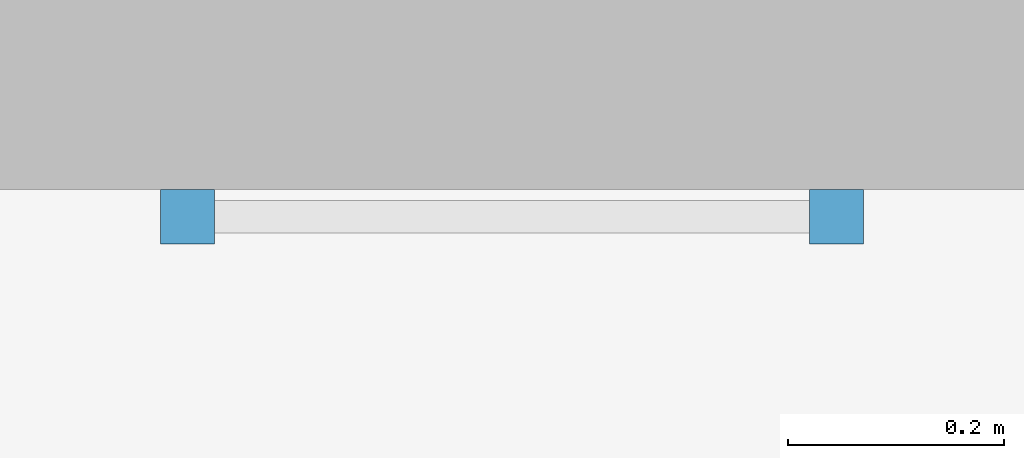
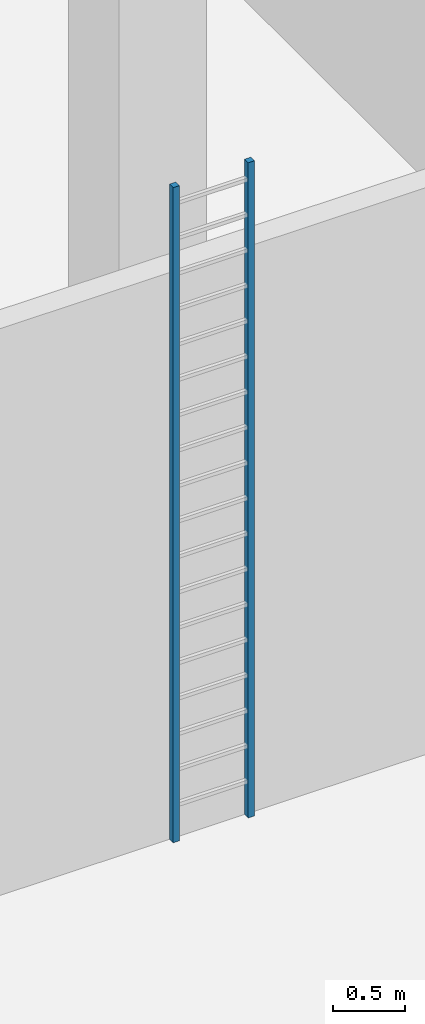
# One storey, part 133 of 210: 2 discrete accessories.
"""IFC4 building model written with IfcOpenShell, lengths in metres."""

import ifcopenshell
import ifcopenshell.guid

model = None  # the IFC model being written
_history = None  # IfcOwnerHistory: only IFC2X3 demands one
_inside = {}  # id of a spatial element -> (the spatial element, [elements in it])
_under = {}  # id of a project, library or spatial element -> (it, [spatial elements below it])
_declared = {}  # id of a project -> (the project, [libraries it declares])
_typed = {}  # id of a type object -> (the type object, [elements of that type])
_made_of = {}  # id of a material, layer set ... -> (it, [elements and type objects made of it])


def new_model(schema):
    """Start an empty IFC model of exactly this schema.

    Asked for "IFC4X3", IfcOpenShell would pick the latest addendum, in which some entities
    have other attributes; the version numbers below select the first issue.
    IFC2X3 requires an IfcOwnerHistory on every rooted entity: one is made here for all.
    """
    global model, _history
    if schema == "IFC4X3":
        model = ifcopenshell.file(schema_version=(4, 3, 0, 0))
    else:
        model = ifcopenshell.file(schema=schema)
    _inside.clear()
    _under.clear()
    _declared.clear()
    _typed.clear()
    _made_of.clear()
    _history = None
    if model.schema == "IFC2X3":
        org = make("IfcOrganization", Name="unknown")
        user = make(
            "IfcPersonAndOrganization",
            ThePerson=make("IfcPerson", FamilyName="unknown"),
            TheOrganization=org,
        )
        app = make(
            "IfcApplication",
            ApplicationDeveloper=org,
            Version="unknown",
            ApplicationFullName="unknown",
            ApplicationIdentifier="unknown",
        )
        _history = make(
            "IfcOwnerHistory",
            OwningUser=user,
            OwningApplication=app,
            ChangeAction="ADDED",
            CreationDate=0,
        )
    return model


def make(cls, **values):
    """One entity of the class cls with the attributes given. An attribute that is None is left unset."""
    return model.create_entity(
        cls, **{name: value for name, value in values.items() if value is not None}
    )


def rooted(cls, **values):
    """An entity with a GlobalId (a new one), such as an element, a storey or a relation."""
    return make(cls, GlobalId=ifcopenshell.guid.new(), OwnerHistory=_history, **values)


def si_unit(unit_type, name, prefix=None):
    """IfcSIUnit, for example si_unit("LENGTHUNIT", "METRE", prefix="MILLI")."""
    return make("IfcSIUnit", UnitType=unit_type, Prefix=prefix, Name=name)


def assignment(units):
    """IfcUnitAssignment: the units of a project."""
    return None if units is None else make("IfcUnitAssignment", Units=units)


def point(xyz):
    """IfcCartesianPoint."""
    return None if xyz is None else make("IfcCartesianPoint", Coordinates=xyz)


def direction(xyz):
    """IfcDirection."""
    return None if xyz is None else make("IfcDirection", DirectionRatios=xyz)


def frame(location, z_axis=None, x_axis=None):
    """IfcAxis2Placement3D, a coordinate frame: its origin and axes. An axis left out is left unset."""
    return make(
        "IfcAxis2Placement3D",
        Location=point(location),
        Axis=direction(z_axis),
        RefDirection=direction(x_axis),
    )


def frame_2d(location, x_axis=None):
    """IfcAxis2Placement2D, a coordinate frame in the plane: its origin and x axis."""
    return make(
        "IfcAxis2Placement2D", Location=point(location), RefDirection=direction(x_axis)
    )


def origin():
    """The frame at (0, 0, 0) with its axes left unset."""
    return frame((0.0, 0.0, 0.0))


def origin_2d():
    """The frame at (0, 0) in the plane with its x axis left unset."""
    return frame_2d((0.0, 0.0))


def place(relative_to, where):
    """IfcLocalPlacement: puts the frame where relative to a parent placement (None: the world)."""
    return make(
        "IfcLocalPlacement", PlacementRelTo=relative_to, RelativePlacement=where
    )


def context(
    kind, dimensions, precision=None, world=None, true_north=None, identifier=None
):
    """IfcGeometricRepresentationContext, for example the 3D "Model" context."""
    return make(
        "IfcGeometricRepresentationContext",
        ContextIdentifier=identifier,
        ContextType=kind,
        CoordinateSpaceDimension=dimensions,
        Precision=precision,
        WorldCoordinateSystem=world,
        TrueNorth=true_north,
    )


def subcontext(parent, identifier, kind, view, scale=None):
    """IfcGeometricRepresentationSubContext, for example "Body" below "Model"."""
    return make(
        "IfcGeometricRepresentationSubContext",
        ContextIdentifier=identifier,
        ContextType=kind,
        ParentContext=parent,
        TargetScale=scale,
        TargetView=view,
    )


def project(units=None, contexts=None):
    """IfcProject with its units and contexts."""
    return rooted(
        "IfcProject",
        Name="project",
        RepresentationContexts=contexts,
        UnitsInContext=assignment(units),
    )


def spatial(cls, under=None, at=None, **own):
    """A site, building, storey or space (cls), placed at a placement, below another one or the project."""
    s = rooted(cls, ObjectPlacement=at, **own)
    if under is not None:
        _under.setdefault(under.id(), (under, []))[1].append(s)
    return s


def profile(cls, at=None, kind="AREA", **sizes):
    """A parametric profile (cls). Its sizes go by their IFC names, for example OverallWidth=200.0."""
    return make(cls, ProfileType=kind, Position=at, **sizes)


def rectangle(**sizes):
    """IfcRectangleProfileDef."""
    return profile("IfcRectangleProfileDef", **sizes)


def extrude(swept, where, along, depth):
    """IfcExtrudedAreaSolid: the profile swept, set in the frame where, extruded along a direction by depth."""
    return make(
        "IfcExtrudedAreaSolid",
        SweptArea=swept,
        Position=where,
        ExtrudedDirection=direction(along),
        Depth=depth,
    )


def shape(context_of_items, identifier, shape_type, items):
    """IfcShapeRepresentation: the items that make up one representation, for example the "Body"."""
    return make(
        "IfcShapeRepresentation",
        ContextOfItems=context_of_items,
        RepresentationIdentifier=identifier,
        RepresentationType=shape_type,
        Items=items,
    )


def material(Name=None, Category=None):
    """IfcMaterial."""
    return make("IfcMaterial", Name=Name, Category=Category)


def layer(
    of_material, thickness, ventilated=None, Name=None, Category=None, Priority=None
):
    """IfcMaterialLayer: one layer of a wall or slab, of a material (None: an air gap)."""
    return make(
        "IfcMaterialLayer",
        Material=of_material,
        LayerThickness=thickness,
        IsVentilated=ventilated,
        Name=Name,
        Category=Category,
        Priority=Priority,
    )


def layer_set(layers, Name=None):
    """IfcMaterialLayerSet."""
    return make("IfcMaterialLayerSet", MaterialLayers=layers, LayerSetName=Name)


def made_of(thing, what):
    """Note that an element or type object is made of a material, layer set ...; save() writes the relation."""
    if what is not None:
        _made_of.setdefault(what.id(), (what, []))[1].append(thing)
    return thing


def type_object(cls, material=None, **own):
    """A type object (cls), such as IfcWallType, which elements share."""
    return made_of(rooted(cls, **own), material)


def element(
    cls,
    number,
    at=None,
    inside=None,
    cuts=None,
    type_object=None,
    material=None,
    context=None,
    identifier="Body",
    shape_type=None,
    held_by="IfcProductDefinitionShape",
    body=None,
    shapes=None,
    **own,
):
    """One element of the class cls, such as IfcWall. Its Tag is "e" and its number.

    at: its placement. inside: the storey or other place that contains it. cuts: it is an
    opening in that element (IfcRelVoidsElement). A single representation is given by context,
    identifier, shape_type and body (its items); several are given by shapes. held_by: the class
    of the entity that holds the representations. save() writes the other relations.
    """
    e = rooted(cls, Tag="e%d" % number, ObjectPlacement=at, **own)
    if body is not None:
        shapes = [shape(context, identifier, shape_type, body)]
    if shapes is not None:
        e.Representation = make(held_by, Representations=shapes)
    if inside is not None:
        _inside.setdefault(inside.id(), (inside, []))[1].append(e)
    if cuts is not None:
        rooted(
            "IfcRelVoidsElement", RelatingBuildingElement=cuts, RelatedOpeningElement=e
        )
    if type_object is not None:
        _typed.setdefault(type_object.id(), (type_object, []))[1].append(e)
    return made_of(e, material)


def aggregate(whole, parts):
    """IfcRelAggregates: a whole, such as a stair, and the parts it consists of."""
    return rooted("IfcRelAggregates", RelatingObject=whole, RelatedObjects=parts)


def save(model, path):
    """Write the relations noted so far, then the file.

    IfcRelAggregates (storeys below a building ...), IfcRelContainedInSpatialStructure (elements
    in a storey), IfcRelDefinesByType, IfcRelAssociatesMaterial and IfcRelDeclares: one each for
    every whole, place, type object, material and project.
    """
    for whole, parts in _under.values():
        aggregate(whole, parts)
    for where, things in _inside.values():
        rooted(
            "IfcRelContainedInSpatialStructure",
            RelatedElements=things,
            RelatingStructure=where,
        )
    for kind, things in _typed.values():
        rooted("IfcRelDefinesByType", RelatedObjects=things, RelatingType=kind)
    for what, things in _made_of.values():
        rooted("IfcRelAssociatesMaterial", RelatedObjects=things, RelatingMaterial=what)
    for by, libraries in _declared.values():
        rooted("IfcRelDeclares", RelatingContext=by, RelatedDefinitions=libraries)
    model.write(path)


model = new_model("IFC4")

# Units and contexts
model_context = context("Model", 3, precision=1e-05, world=origin(), true_north=direction((0.0, 1.0)))
body_context = subcontext(model_context, "Body", "Model", "MODEL_VIEW")
ifc_project = project(units=[si_unit("LENGTHUNIT", "METRE"), si_unit("AREAUNIT", "SQUARE_METRE"), si_unit("VOLUMEUNIT", "CUBIC_METRE"), si_unit("PLANEANGLEUNIT", "RADIAN"), si_unit("MASSUNIT", "GRAM", prefix="KILO")], contexts=[model_context])

# Site, building, storey
site_placement = place(None, origin())
site = spatial("IfcSite", under=ifc_project, at=site_placement, CompositionType="ELEMENT")
building_placement = place(site_placement, origin())
building = spatial("IfcBuilding", under=site, at=building_placement, Name="Rain Tree Exposition and Congress Centre", CompositionType="ELEMENT")
storey_placement = place(building_placement, origin())
storey = spatial("IfcBuildingStorey", under=building, at=storey_placement, Name="L00", CompositionType="ELEMENT", Elevation=0.0)

# Discrete accessories
ifc_material = material(Name="Galvanised steel", Category="steel")
ifc_layer = layer(ifc_material, 0.050048828125)
ifc_layer_set = layer_set([ifc_layer], Name="Galvanised steel")
discrete_accessory_type = type_object("IfcDiscreteAccessoryType", Name="Access ladder stile 50", PredefinedType="USERDEFINED", material=ifc_layer_set)
for number, where, z_axis, x_axis, name in (
    (1, (249.800048828125, 121.675048828125, 0.0), (0.0, 0.0, 1.0), (1.0, 0.0, 0.0), "Ladder stile 1"),
    (2, (250.39990234375, 121.675048828125, 0.0), (0.0, 0.0, 1.0), (1.0, 0.0, 0.0), "Ladder stile 2"),
):
    element("IfcDiscreteAccessory", number, at=place(storey_placement, frame(where, z_axis=z_axis, x_axis=x_axis)), inside=storey, type_object=discrete_accessory_type, Name=name, ObjectType="ACCESS LADDER", PredefinedType="USERDEFINED", context=body_context, shape_type="SweptSolid", body=[
        extrude(rectangle(XDim=0.050048828125, YDim=0.050048828125, at=origin_2d()), origin(), (0.0, 0.0, 1.0), 5.550048828125),
    ])

save(model, "model.ifc")
